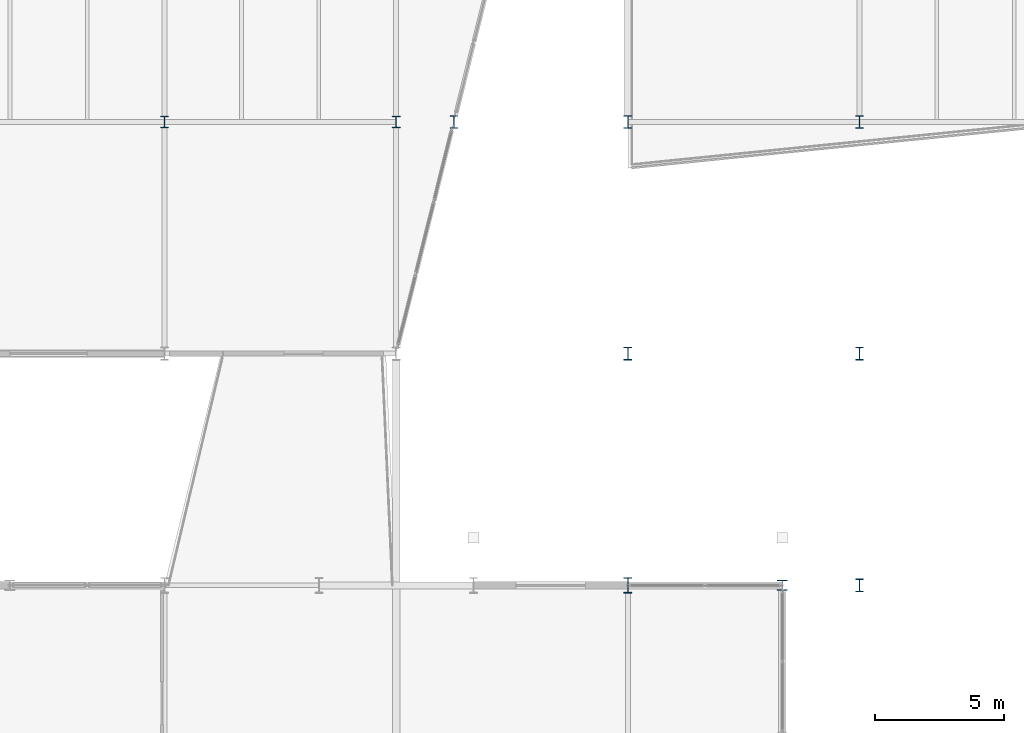
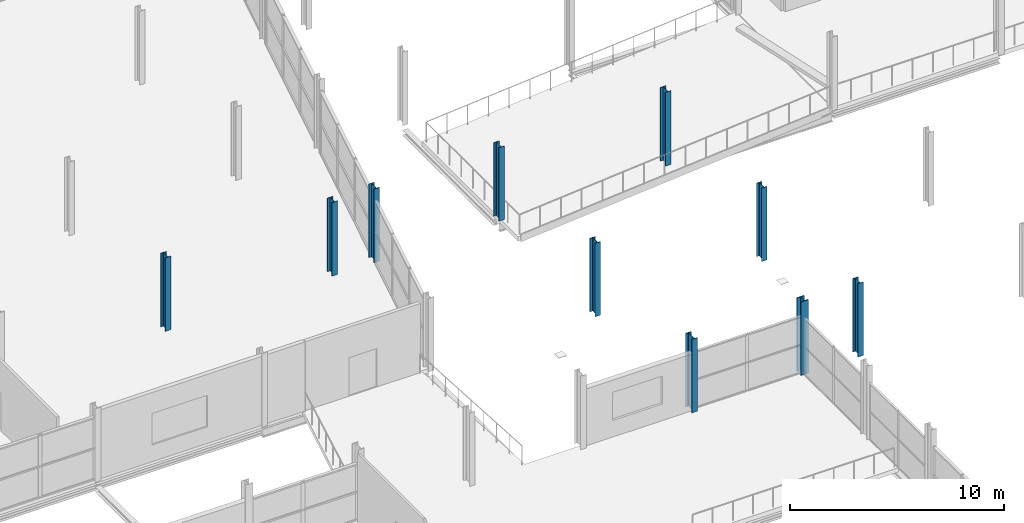
# One storey, part 4 of 135: 10 columns.
"""IFC4 building model written with IfcOpenShell, lengths in metres."""

from ifc_helpers import new_model, si_unit, direction, frame, origin, origin_2d, place, context, subcontext, project, spatial, i_section, extrude, material, material_profile, profile_set, type_object, element, save


model = new_model("IFC4")

# Units and contexts
model_context = context("Model", 3, precision=1e-05, world=origin(), true_north=direction((0.0, 1.0)))
body_context = subcontext(model_context, "Body", "Model", "MODEL_VIEW")
ifc_project = project(units=[si_unit("LENGTHUNIT", "METRE"), si_unit("AREAUNIT", "SQUARE_METRE"), si_unit("VOLUMEUNIT", "CUBIC_METRE"), si_unit("PLANEANGLEUNIT", "RADIAN"), si_unit("MASSUNIT", "GRAM", prefix="KILO")], contexts=[model_context])

# Site, building, storey
site_placement = place(None, origin())
site = spatial("IfcSite", under=ifc_project, at=site_placement, CompositionType="ELEMENT")
building_placement = place(site_placement, origin())
building = spatial("IfcBuilding", under=site, at=building_placement, Name="Deido Ridge Mobility Hub", CompositionType="ELEMENT")
storey_placement = place(building_placement, frame((0.0, 0.0, 4.199951171875)))
storey = spatial("IfcBuildingStorey", under=building, at=storey_placement, Name="L01", CompositionType="ELEMENT", Elevation=4.199951171875)

# Columns
ifc_material = material(Name="Steel S355J2 EN 10025-2", Category="steel")
ifc_material_profile_1 = material_profile(ifc_material, i_section(OverallWidth=0.406005859375, OverallDepth=0.416015625, WebThickness=0.02392578125, FlangeThickness=0.0390625, FilletRadius=0.014892578125, at=origin_2d()), Name="HD 400x382")
ifc_profile_set_1 = profile_set([ifc_material_profile_1], Name="Steel S355J2 EN 10025-2")
column_type_1 = type_object("IfcColumnType", Name="COL-HD400-382", PredefinedType="COLUMN", material=ifc_profile_set_1)
column_1_placement = place(storey_placement, frame((60.0, 36.0, 0.0), z_axis=(0.0, 0.0, 1.0), x_axis=(1.0, 0.0, 0.0)))
element("IfcColumn", 1, at=column_1_placement, inside=storey, type_object=column_type_1, Name="Structural column MC3", PredefinedType="COLUMN", context=body_context, shape_type="SweptSolid", body=[
    extrude(i_section(OverallWidth=0.406005859375, OverallDepth=0.416015625, WebThickness=0.02392578125, FlangeThickness=0.0390625, FilletRadius=0.014892578125, at=origin_2d()), origin(), (0.0, 0.0, 1.0), 4.199951171875),
])
ifc_material_profile_2 = material_profile(ifc_material, i_section(OverallWidth=0.300048828125, OverallDepth=0.449951171875, WebThickness=0.013916015625, FlangeThickness=0.02587890625, FilletRadius=0.027099609375, at=origin_2d()), Name="HEB 450")
ifc_profile_set_2 = profile_set([ifc_material_profile_2], Name="Steel S355J2 EN 10025-2")
column_type_2 = type_object("IfcColumnType", Name="COL-HEB450", PredefinedType="COLUMN", material=ifc_profile_set_2)
for number, where, z_axis, x_axis, name in (
    (2, (36.0, 54.0, 0.0), (0.0, 0.0, 1.0), (1.0, 0.0, 0.0), "Structural column C6"),
    (3, (45.0, 54.0, 0.0), (0.0, 0.0, 1.0), (1.0, 0.0, 0.0), "Structural column C6"),
):
    element("IfcColumn", number, at=place(storey_placement, frame(where, z_axis=z_axis, x_axis=x_axis)), inside=storey, type_object=column_type_2, Name=name, PredefinedType="COLUMN", context=body_context, shape_type="SweptSolid", body=[
        extrude(i_section(OverallWidth=0.300048828125, OverallDepth=0.449951171875, WebThickness=0.013916015625, FlangeThickness=0.02587890625, FilletRadius=0.027099609375, at=origin_2d()), origin(), (0.0, 0.0, 1.0), 4.199951171875),
    ])
ifc_material_profile_3 = material_profile(ifc_material, i_section(OverallWidth=0.300048828125, OverallDepth=0.5, WebThickness=0.014404296875, FlangeThickness=0.028076171875, FilletRadius=0.027099609375, at=origin_2d()), Name="HEB 500")
ifc_profile_set_3 = profile_set([ifc_material_profile_3], Name="Steel S355J2 EN 10025-2")
column_type_3 = type_object("IfcColumnType", Name="COL-HEB500", PredefinedType="COLUMN", material=ifc_profile_set_3)
for number, where, z_axis, x_axis, name in (
    (4, (47.25, 54.0, 0.0), (0.0, 0.0, 1.0), (1.0, 0.0, 0.0), "Structural column C5"),
    (5, (54.0, 54.0, 0.0), (0.0, 0.0, 1.0), (1.0, 0.0, 0.0), "Structural column C5"),
    (6, (63.0, 54.0, 0.0), (0.0, 0.0, 1.0), (1.0, 0.0, 0.0), "Structural column C5"),
    (7, (54.0, 45.0, 0.0), (0.0, 0.0, 1.0), (1.0, 0.0, 0.0), "Structural column C5"),
    (8, (63.0, 36.0, 0.0), (0.0, 0.0, 1.0), (1.0, 0.0, 0.0), "Structural column C5"),
    (9, (63.0, 45.0, 0.0), (0.0, 0.0, 1.0), (1.0, 0.0, 0.0), "Structural column C5"),
):
    element("IfcColumn", number, at=place(storey_placement, frame(where, z_axis=z_axis, x_axis=x_axis)), inside=storey, type_object=column_type_3, Name=name, PredefinedType="COLUMN", context=body_context, shape_type="SweptSolid", body=[
        extrude(i_section(OverallWidth=0.300048828125, OverallDepth=0.5, WebThickness=0.014404296875, FlangeThickness=0.028076171875, FilletRadius=0.027099609375, at=origin_2d()), origin(), (0.0, 0.0, 1.0), 4.199951171875),
    ])
ifc_material_profile_4 = material_profile(ifc_material, i_section(OverallWidth=0.300048828125, OverallDepth=0.60009765625, WebThickness=0.015380859375, FlangeThickness=0.030029296875, FilletRadius=0.027099609375, at=origin_2d()), Name="HEB 600")
ifc_profile_set_4 = profile_set([ifc_material_profile_4], Name="Steel S355J2 EN 10025-2")
column_type_4 = type_object("IfcColumnType", Name="COL-HEB600", PredefinedType="COLUMN", material=ifc_profile_set_4)
column_2_placement = place(storey_placement, frame((54.0, 36.0, 0.0), z_axis=(0.0, 0.0, 1.0), x_axis=(1.0, 0.0, 0.0)))
element("IfcColumn", 10, at=column_2_placement, inside=storey, type_object=column_type_4, Name="Structural column C4", PredefinedType="COLUMN", context=body_context, shape_type="SweptSolid", body=[
    extrude(i_section(OverallWidth=0.300048828125, OverallDepth=0.60009765625, WebThickness=0.015380859375, FlangeThickness=0.030029296875, FilletRadius=0.027099609375, at=origin_2d()), origin(), (0.0, 0.0, 1.0), 4.199951171875),
])

save(model, "model.ifc")
